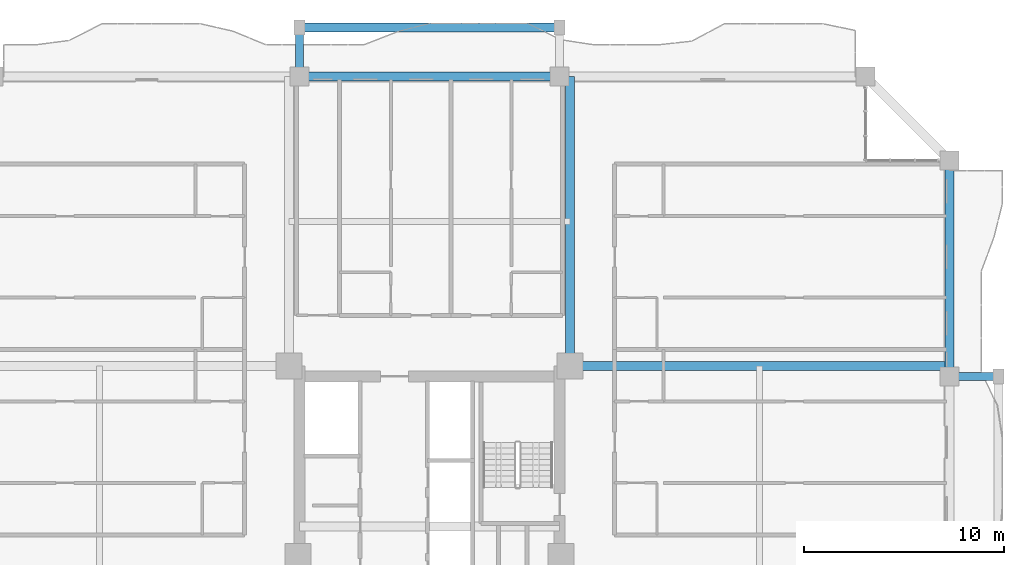
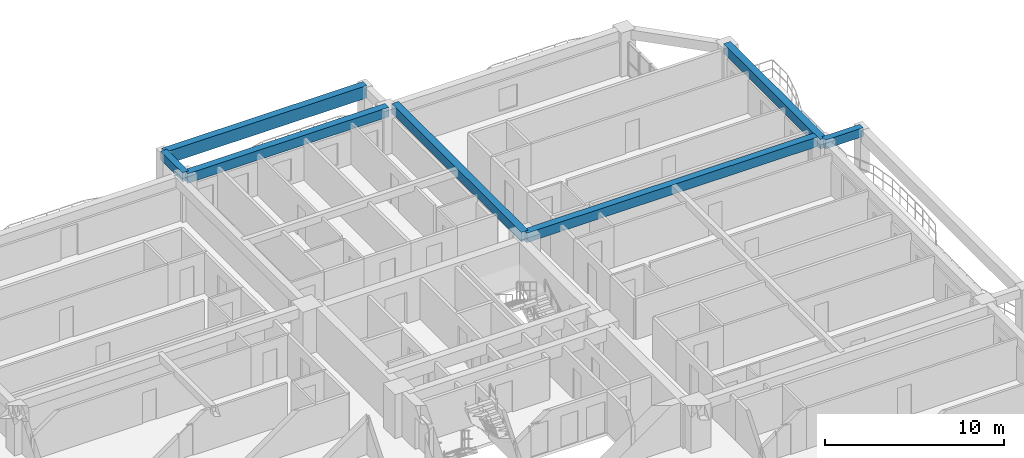
# One storey, part 9 of 25: 7 beams.
"""IFC4 building model written with IfcOpenShell, lengths in metres."""

from ifc_helpers import new_model, si_unit, direction, frame, origin, origin_2d, place, context, subcontext, project, spatial, rectangle, extrude, source, transform, mapped, material, material_profile, profile_set, type_object, element, save


model = new_model("IFC4")

# Units and contexts
model_context = context("Model", 3, precision=1e-05, world=origin(), true_north=direction((0.0, 1.0)))
body_context = subcontext(model_context, "Body", "Model", "MODEL_VIEW")
ifc_project = project(units=[si_unit("LENGTHUNIT", "METRE"), si_unit("AREAUNIT", "SQUARE_METRE"), si_unit("VOLUMEUNIT", "CUBIC_METRE"), si_unit("PLANEANGLEUNIT", "RADIAN"), si_unit("MASSUNIT", "GRAM", prefix="KILO")], contexts=[model_context])

# Site, building, storey
site_placement = place(None, origin())
site = spatial("IfcSite", under=ifc_project, at=site_placement, CompositionType="ELEMENT")
building_placement = place(site_placement, origin())
building = spatial("IfcBuilding", under=site, at=building_placement, Name="Saelheon Loggia Tower", CompositionType="ELEMENT")
storey_placement = place(building_placement, frame((0.0, 0.0, 107.85009765625)))
storey = spatial("IfcBuildingStorey", under=building, at=storey_placement, Name="L34", CompositionType="ELEMENT", Elevation=107.85009765625)

# Beams
ifc_material_1 = material(Name="Precast Concrete C45/55", Category="concrete")
ifc_material_profile_1 = material_profile(ifc_material_1, rectangle(XDim=0.449951171875, YDim=0.85009765625, at=origin_2d()), Name="RC-450x850")
ifc_profile_set_1 = profile_set([ifc_material_profile_1], Name="Precast Concrete C45/55")
beam_type_1 = type_object("IfcBeamType", Name="Beam_LoggiaSpandrel_RC450x850", PredefinedType="SPANDREL", material=ifc_profile_set_1)
shared_shape_1 = source(origin(), body_context, "Body", "SweptSolid", [
    extrude(rectangle(XDim=0.449951171875, YDim=0.85009765625, at=origin_2d()), origin(), (0.0, 0.0, 1.0), 13.0),
])
beam_1_placement = place(storey_placement, frame((31.5, 53.449951171875, 2.574951171875), z_axis=(1.0, 0.0, 0.0), x_axis=(0.0, 1.0, 0.0)))
element("IfcBeam", 1, at=beam_1_placement, inside=storey, type_object=beam_type_1, Name="L34 Loggia Spandrel Beam N", PredefinedType="SPANDREL", context=body_context, shape_type="MappedRepresentation", body=[
    mapped(shared_shape_1, transform((0.0, 0.0, 0.0), scale=1.0)),
])
ifc_material_profile_2 = material_profile(ifc_material_1, rectangle(XDim=0.39990234375, YDim=0.60009765625, at=origin_2d()), Name="RC-400x600")
ifc_profile_set_2 = profile_set([ifc_material_profile_2], Name="Precast Concrete C45/55")
beam_type_2 = type_object("IfcBeamType", Name="Beam_LoggiaTie_RC400x600", PredefinedType="BEAM", material=ifc_profile_set_2)
shared_shape_2 = source(origin(), body_context, "Body", "SweptSolid", [
    extrude(rectangle(XDim=0.39990234375, YDim=0.60009765625, at=origin_2d()), origin(), (0.0, 0.0, 1.0), 2.449951171875),
])
for number, where, z_axis, x_axis, name in (
    (2, (31.5, 51.0, 2.699951171875), (0.0, 1.0, 0.0), (-1.0, 0.0, 0.0), "L34 Loggia Frame Tie Beam LP-N1"),
    (3, (64.0, 36.0, 2.699951171875), (1.0, 0.0, 0.0), (0.0, 1.0, 0.0), "L34 Loggia Frame Tie Beam LP-E2"),
):
    element("IfcBeam", number, at=place(storey_placement, frame(where, z_axis=z_axis, x_axis=x_axis)), inside=storey, type_object=beam_type_2, Name=name, PredefinedType="BEAM", context=body_context, shape_type="MappedRepresentation", body=[
        mapped(shared_shape_2, transform((0.0, 0.0, 0.0), scale=1.0)),
    ])
ifc_material_2 = material(Name="Concrete C40/50", Category="concrete")
ifc_material_profile_3 = material_profile(ifc_material_2, rectangle(XDim=0.449951171875, YDim=0.64990234375, at=origin_2d()), Name="RC-450x650")
ifc_profile_set_3 = profile_set([ifc_material_profile_3], Name="Concrete C40/50")
beam_type_3 = type_object("IfcBeamType", Name="Beam_PerimTower_RC450x650", PredefinedType="BEAM", material=ifc_profile_set_3)
shared_shape_3 = source(origin(), body_context, "Body", "SweptSolid", [
    extrude(rectangle(XDim=0.449951171875, YDim=0.64990234375, at=origin_2d()), origin(), (0.0, 0.0, 1.0), 13.0),
])
beam_2_placement = place(storey_placement, frame((44.5, 51.0, 2.6748046875), z_axis=(-1.0, 0.0, 0.0), x_axis=(0.0, -1.0, 0.0)))
element("IfcBeam", 4, at=beam_2_placement, inside=storey, type_object=beam_type_3, Name="L34 Perimeter Frame Girder 10", PredefinedType="BEAM", context=body_context, shape_type="MappedRepresentation", body=[
    mapped(shared_shape_3, transform((0.0, 0.0, 0.0), scale=1.0)),
])
shared_shape_4 = source(origin(), body_context, "Body", "SweptSolid", [
    extrude(rectangle(XDim=0.449951171875, YDim=0.64990234375, at=origin_2d()), origin(), (0.0, 0.0, 1.0), 10.800048828125),
])
beam_3_placement = place(storey_placement, frame((64.0, 36.0, 2.6748046875), z_axis=(0.0, 1.0, 0.0), x_axis=(-1.0, 0.0, 0.0)))
element("IfcBeam", 5, at=beam_3_placement, inside=storey, type_object=beam_type_3, Name="L34 Perimeter Frame Girder 07", PredefinedType="BEAM", context=body_context, shape_type="MappedRepresentation", body=[
    mapped(shared_shape_4, transform((0.0, 0.0, 0.0), scale=1.0)),
])
ifc_material_profile_4 = material_profile(ifc_material_2, rectangle(XDim=0.449951171875, YDim=0.64990234375, at=origin_2d()), Name="RC-450x650")
ifc_profile_set_4 = profile_set([ifc_material_profile_4], Name="Concrete C40/50")
beam_type_4 = type_object("IfcBeamType", Name="Beam_TowerGirder_RC450x650", PredefinedType="BEAM", material=ifc_profile_set_4)
shared_shape_5 = source(origin(), body_context, "Body", "SweptSolid", [
    extrude(rectangle(XDim=0.449951171875, YDim=0.64990234375, at=origin_2d()), origin(), (0.0, 0.0, 1.0), 14.47998046875),
])
beam_4_placement = place(storey_placement, frame((45.02001953125, 36.52001953125, 2.6748046875), z_axis=(0.0, 1.0, 0.0), x_axis=(-1.0, 0.0, 0.0)))
element("IfcBeam", 6, at=beam_4_placement, inside=storey, type_object=beam_type_4, Name="L34 Radial Floor Girder RAD-NE-N", PredefinedType="BEAM", context=body_context, shape_type="MappedRepresentation", body=[
    mapped(shared_shape_5, transform((0.0, 0.0, 0.0), scale=1.0)),
])
shared_shape_6 = source(origin(), body_context, "Body", "SweptSolid", [
    extrude(rectangle(XDim=0.449951171875, YDim=0.64990234375, at=origin_2d()), origin(), (0.0, 0.0, 1.0), 18.97998046875),
])
beam_5_placement = place(storey_placement, frame((45.02001953125, 36.52001953125, 2.6748046875), z_axis=(1.0, 0.0, 0.0), x_axis=(0.0, 1.0, 0.0)))
element("IfcBeam", 7, at=beam_5_placement, inside=storey, type_object=beam_type_4, Name="L34 Radial Floor Girder RAD-NE-E", PredefinedType="BEAM", context=body_context, shape_type="MappedRepresentation", body=[
    mapped(shared_shape_6, transform((0.0, 0.0, 0.0), scale=1.0)),
])

save(model, "model.ifc")
